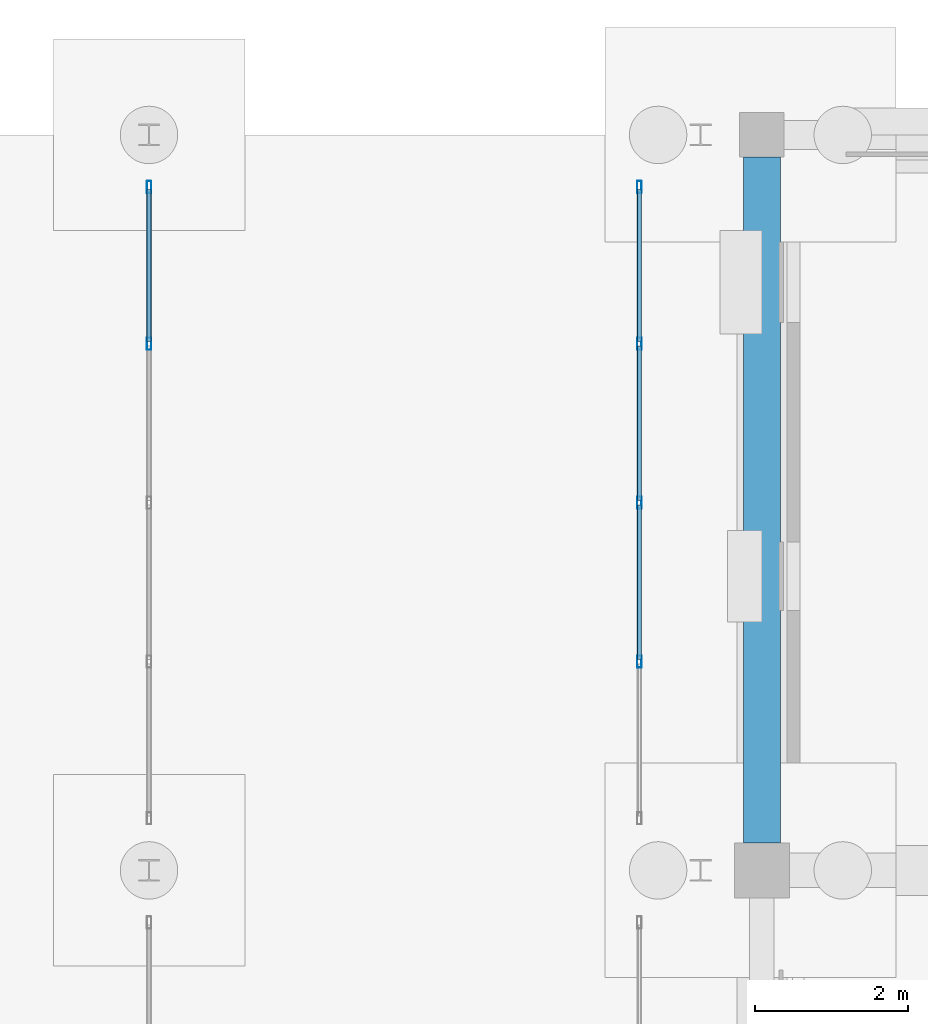
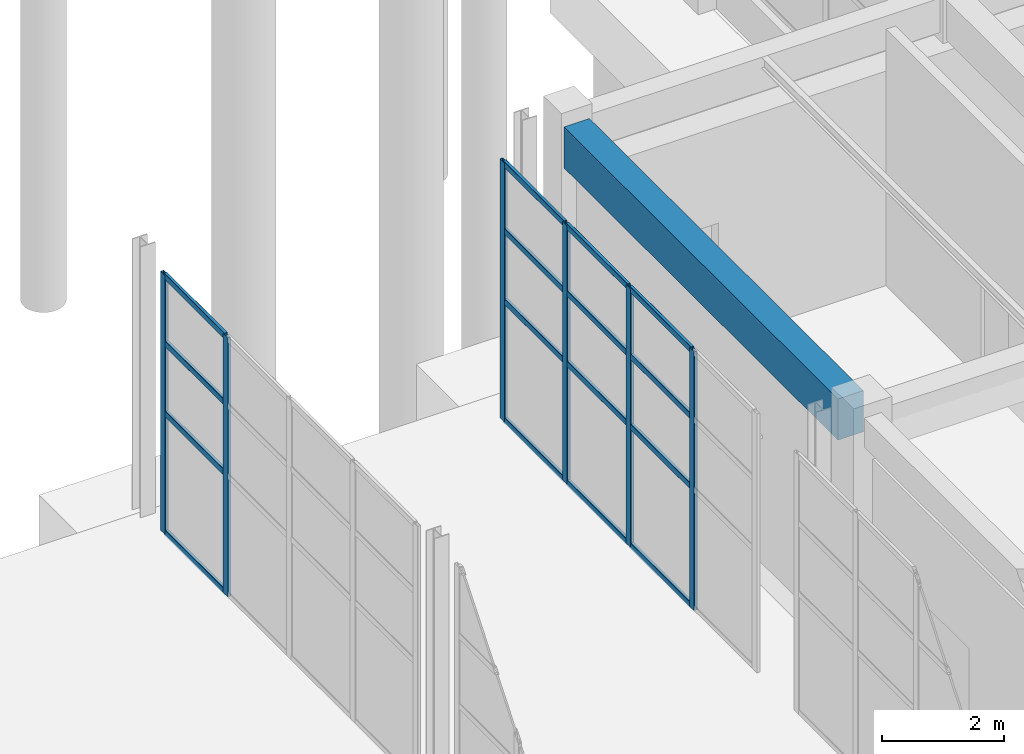
# One storey, part 29 of 91: 22 members, 1 beam, 2 elements without a shape of their own.
"""IFC4 building model written with IfcOpenShell, lengths in metres."""

from ifc_helpers import new_model, si_unit, direction, frame, origin, origin_2d, place, context, subcontext, project, spatial, rectangle, hollow_rectangle, extrude, material, material_profile, profile_set, type_object, element, aggregate, save


model = new_model("IFC4")

# Units and contexts
model_context = context("Model", 3, precision=1e-05, world=origin(), true_north=direction((0.0, 1.0)))
body_context = subcontext(model_context, "Body", "Model", "MODEL_VIEW")
ifc_project = project(units=[si_unit("LENGTHUNIT", "METRE"), si_unit("AREAUNIT", "SQUARE_METRE"), si_unit("VOLUMEUNIT", "CUBIC_METRE"), si_unit("PLANEANGLEUNIT", "RADIAN"), si_unit("MASSUNIT", "GRAM", prefix="KILO")], contexts=[model_context])

# Site, building, storey
site_placement = place(None, origin())
site = spatial("IfcSite", under=ifc_project, at=site_placement, CompositionType="ELEMENT")
building_placement = place(site_placement, origin())
building = spatial("IfcBuilding", under=site, at=building_placement, Name="Bramveld Media Centre", CompositionType="ELEMENT")
storey_placement = place(building_placement, origin())
storey = spatial("IfcBuildingStorey", under=building, at=storey_placement, Name="L00", CompositionType="ELEMENT", Elevation=0.0)

# Curtain wall, members
ifc_material_1 = material(Name="Thermally broken anodized bronze aluminium unitized curtain wall with solar-control triple glazing", Category="aluminium")
curtain_wall_type = type_object("IfcCurtainWallType", Name="CW-GAL-8300x5160", PredefinedType="NOTDEFINED", material=ifc_material_1)
curtain_wall_1_placement = place(storey_placement, origin())
curtain_wall_1 = element("IfcCurtainWall", 1, at=curtain_wall_1_placement, inside=storey, type_object=curtain_wall_type, Name="PASS-M colonnade glazed screen 5", PredefinedType="NOTDEFINED")
ifc_material_2 = material(Name="Thermally broken anodized bronze aluminium EN AW-6063 T6 curtain-wall framing", Category="aluminium")
ifc_material_profile_1 = material_profile(ifc_material_2, hollow_rectangle(XDim=0.06005859375, YDim=0.159912109375, WallThickness=0.00390625, InnerFilletRadius=0.00390625, OuterFilletRadius=0.008056640625, at=origin_2d()), Name="AL-MULL 60x160")
ifc_profile_set_1 = profile_set([ifc_material_profile_1], Name="Thermally broken anodized bronze aluminium EN AW-6063 T6 curtain-wall framing")
member_type_1 = type_object("IfcMemberType", Name="CW-MULL-EXT", PredefinedType="MULLION", material=ifc_profile_set_1)
member_1_placement = place(storey_placement, frame((116.0, 35.675048828125, 0.0), z_axis=(0.0, 0.0, 1.0), x_axis=(-1.0, 0.0, 0.0)))
member_1 = element("IfcMember", 2, at=member_1_placement, type_object=member_type_1, Name="CW-GA-8351 mullion 4", PredefinedType="MULLION", context=body_context, shape_type="SweptSolid", body=[
    extrude(hollow_rectangle(XDim=0.06005859375, YDim=0.159912109375, WallThickness=0.00390625, InnerFilletRadius=0.00390625, OuterFilletRadius=0.008056640625, at=origin_2d()), origin(), (0.0, 0.0, 1.0), 5.159912109375),
])
member_2_placement = place(storey_placement, frame((116.0, 37.719970703125, 0.0), z_axis=(0.0, 0.0, 1.0), x_axis=(-1.0, 0.0, 0.0)))
member_2 = element("IfcMember", 3, at=member_2_placement, type_object=member_type_1, Name="CW-GA-8351 mullion 5", PredefinedType="MULLION", context=body_context, shape_type="SweptSolid", body=[
    extrude(hollow_rectangle(XDim=0.06005859375, YDim=0.159912109375, WallThickness=0.00390625, InnerFilletRadius=0.00390625, OuterFilletRadius=0.008056640625, at=origin_2d()), origin(), (0.0, 0.0, 1.0), 5.159912109375),
])

curtain_wall_2_placement = place(storey_placement, origin())
curtain_wall_2 = element("IfcCurtainWall", 4, at=curtain_wall_2_placement, inside=storey, type_object=curtain_wall_type, Name="PASS-E colonnade glazed screen 5", PredefinedType="NOTDEFINED")
member_3_placement = place(storey_placement, frame((122.39990234375, 31.52490234375, 0.0), z_axis=(0.0, 0.0, 1.0), x_axis=(-1.0, 0.0, 0.0)))
member_3 = element("IfcMember", 5, at=member_3_placement, type_object=member_type_1, Name="CW-GA-8351 mullion 2", PredefinedType="MULLION", context=body_context, shape_type="SweptSolid", body=[
    extrude(hollow_rectangle(XDim=0.06005859375, YDim=0.159912109375, WallThickness=0.00390625, InnerFilletRadius=0.00390625, OuterFilletRadius=0.008056640625, at=origin_2d()), origin(), (0.0, 0.0, 1.0), 5.159912109375),
])
member_4_placement = place(storey_placement, frame((122.39990234375, 33.60009765625, 0.0), z_axis=(0.0, 0.0, 1.0), x_axis=(-1.0, 0.0, 0.0)))
member_4 = element("IfcMember", 6, at=member_4_placement, type_object=member_type_1, Name="CW-GA-8351 mullion 3", PredefinedType="MULLION", context=body_context, shape_type="SweptSolid", body=[
    extrude(hollow_rectangle(XDim=0.06005859375, YDim=0.159912109375, WallThickness=0.00390625, InnerFilletRadius=0.00390625, OuterFilletRadius=0.008056640625, at=origin_2d()), origin(), (0.0, 0.0, 1.0), 5.159912109375),
])
member_5_placement = place(storey_placement, frame((122.39990234375, 35.675048828125, 0.0), z_axis=(0.0, 0.0, 1.0), x_axis=(-1.0, 0.0, 0.0)))
member_5 = element("IfcMember", 7, at=member_5_placement, type_object=member_type_1, Name="CW-GA-8351 mullion 4", PredefinedType="MULLION", context=body_context, shape_type="SweptSolid", body=[
    extrude(hollow_rectangle(XDim=0.06005859375, YDim=0.159912109375, WallThickness=0.00390625, InnerFilletRadius=0.00390625, OuterFilletRadius=0.008056640625, at=origin_2d()), origin(), (0.0, 0.0, 1.0), 5.159912109375),
])
member_6_placement = place(storey_placement, frame((122.39990234375, 37.719970703125, 0.0), z_axis=(0.0, 0.0, 1.0), x_axis=(-1.0, 0.0, 0.0)))
member_6 = element("IfcMember", 8, at=member_6_placement, type_object=member_type_1, Name="CW-GA-8351 mullion 5", PredefinedType="MULLION", context=body_context, shape_type="SweptSolid", body=[
    extrude(hollow_rectangle(XDim=0.06005859375, YDim=0.159912109375, WallThickness=0.00390625, InnerFilletRadius=0.00390625, OuterFilletRadius=0.008056640625, at=origin_2d()), origin(), (0.0, 0.0, 1.0), 5.159912109375),
])

# Member
ifc_material_3 = material(Name="Thermally broken anodized bronze aluminium EN AW-6063 T6 curtain-wall framing", Category="aluminium")
ifc_material_profile_2 = material_profile(ifc_material_3, hollow_rectangle(XDim=0.06005859375, YDim=0.1201171875, WallThickness=0.00341796875, InnerFilletRadius=0.00341796875, OuterFilletRadius=0.007080078125, at=origin_2d()), Name="AL-TRAN 60x120")
ifc_profile_set_2 = profile_set([ifc_material_profile_2], Name="Thermally broken anodized bronze aluminium EN AW-6063 T6 curtain-wall framing")
member_type_2 = type_object("IfcMemberType", Name="CW-TRAN-EXT", PredefinedType="USERDEFINED", material=ifc_profile_set_2)
member_7_placement = place(storey_placement, frame((116.0, 35.705078125, 0.030029296875), z_axis=(0.0, 1.0, 0.0), x_axis=(-1.0, 0.0, 0.0)))
member_7 = element("IfcMember", 9, at=member_7_placement, type_object=member_type_2, Name="CW-GA-8351 transom 4.1", ObjectType="TRANSOM", PredefinedType="USERDEFINED", context=body_context, shape_type="SweptSolid", body=[
    extrude(hollow_rectangle(XDim=0.06005859375, YDim=0.1201171875, WallThickness=0.00341796875, InnerFilletRadius=0.00341796875, OuterFilletRadius=0.007080078125, at=origin_2d()), origin(), (0.0, 0.0, 1.0), 1.98486328125),
])

member_8_placement = place(storey_placement, frame((116.0, 35.705078125, 2.39990234375), z_axis=(0.0, 1.0, 0.0), x_axis=(-1.0, 0.0, 0.0)))
member_8 = element("IfcMember", 10, at=member_8_placement, type_object=member_type_2, Name="CW-GA-8351 transom 4.2", ObjectType="TRANSOM", PredefinedType="USERDEFINED", context=body_context, shape_type="SweptSolid", body=[
    extrude(hollow_rectangle(XDim=0.06005859375, YDim=0.1201171875, WallThickness=0.00341796875, InnerFilletRadius=0.00341796875, OuterFilletRadius=0.007080078125, at=origin_2d()), origin(), (0.0, 0.0, 1.0), 1.98486328125),
])

member_9_placement = place(storey_placement, frame((116.0, 35.705078125, 3.800048828125), z_axis=(0.0, 1.0, 0.0), x_axis=(-1.0, 0.0, 0.0)))
member_9 = element("IfcMember", 11, at=member_9_placement, type_object=member_type_2, Name="CW-GA-8351 transom 4.3", ObjectType="TRANSOM", PredefinedType="USERDEFINED", context=body_context, shape_type="SweptSolid", body=[
    extrude(hollow_rectangle(XDim=0.06005859375, YDim=0.1201171875, WallThickness=0.00341796875, InnerFilletRadius=0.00341796875, OuterFilletRadius=0.007080078125, at=origin_2d()), origin(), (0.0, 0.0, 1.0), 1.98486328125),
])

member_10_placement = place(storey_placement, frame((116.0, 35.705078125, 5.1298828125), z_axis=(0.0, 1.0, 0.0), x_axis=(-1.0, 0.0, 0.0)))
member_10 = element("IfcMember", 12, at=member_10_placement, type_object=member_type_2, Name="CW-GA-8351 transom 4.4", ObjectType="TRANSOM", PredefinedType="USERDEFINED", context=body_context, shape_type="SweptSolid", body=[
    extrude(hollow_rectangle(XDim=0.06005859375, YDim=0.1201171875, WallThickness=0.00341796875, InnerFilletRadius=0.00341796875, OuterFilletRadius=0.007080078125, at=origin_2d()), origin(), (0.0, 0.0, 1.0), 1.98486328125),
])

aggregate(curtain_wall_1, [member_1, member_2, member_7, member_8, member_9, member_10])

member_11_placement = place(storey_placement, frame((122.39990234375, 31.554931640625, 0.030029296875), z_axis=(0.0, 1.0, 0.0), x_axis=(-1.0, 0.0, 0.0)))
member_11 = element("IfcMember", 13, at=member_11_placement, type_object=member_type_2, Name="CW-GA-8351 transom 2.1", ObjectType="TRANSOM", PredefinedType="USERDEFINED", context=body_context, shape_type="SweptSolid", body=[
    extrude(hollow_rectangle(XDim=0.06005859375, YDim=0.1201171875, WallThickness=0.00341796875, InnerFilletRadius=0.00341796875, OuterFilletRadius=0.007080078125, at=origin_2d()), origin(), (0.0, 0.0, 1.0), 2.01513671875),
])

member_12_placement = place(storey_placement, frame((122.39990234375, 31.554931640625, 2.39990234375), z_axis=(0.0, 1.0, 0.0), x_axis=(-1.0, 0.0, 0.0)))
member_12 = element("IfcMember", 14, at=member_12_placement, type_object=member_type_2, Name="CW-GA-8351 transom 2.2", ObjectType="TRANSOM", PredefinedType="USERDEFINED", context=body_context, shape_type="SweptSolid", body=[
    extrude(hollow_rectangle(XDim=0.06005859375, YDim=0.1201171875, WallThickness=0.00341796875, InnerFilletRadius=0.00341796875, OuterFilletRadius=0.007080078125, at=origin_2d()), origin(), (0.0, 0.0, 1.0), 2.01513671875),
])

member_13_placement = place(storey_placement, frame((122.39990234375, 31.554931640625, 3.800048828125), z_axis=(0.0, 1.0, 0.0), x_axis=(-1.0, 0.0, 0.0)))
member_13 = element("IfcMember", 15, at=member_13_placement, type_object=member_type_2, Name="CW-GA-8351 transom 2.3", ObjectType="TRANSOM", PredefinedType="USERDEFINED", context=body_context, shape_type="SweptSolid", body=[
    extrude(hollow_rectangle(XDim=0.06005859375, YDim=0.1201171875, WallThickness=0.00341796875, InnerFilletRadius=0.00341796875, OuterFilletRadius=0.007080078125, at=origin_2d()), origin(), (0.0, 0.0, 1.0), 2.01513671875),
])

member_14_placement = place(storey_placement, frame((122.39990234375, 31.554931640625, 5.1298828125), z_axis=(0.0, 1.0, 0.0), x_axis=(-1.0, 0.0, 0.0)))
member_14 = element("IfcMember", 16, at=member_14_placement, type_object=member_type_2, Name="CW-GA-8351 transom 2.4", ObjectType="TRANSOM", PredefinedType="USERDEFINED", context=body_context, shape_type="SweptSolid", body=[
    extrude(hollow_rectangle(XDim=0.06005859375, YDim=0.1201171875, WallThickness=0.00341796875, InnerFilletRadius=0.00341796875, OuterFilletRadius=0.007080078125, at=origin_2d()), origin(), (0.0, 0.0, 1.0), 2.01513671875),
])

member_15_placement = place(storey_placement, frame((122.39990234375, 33.6298828125, 0.030029296875), z_axis=(0.0, 1.0, 0.0), x_axis=(-1.0, 0.0, 0.0)))
member_15 = element("IfcMember", 17, at=member_15_placement, type_object=member_type_2, Name="CW-GA-8351 transom 3.1", ObjectType="TRANSOM", PredefinedType="USERDEFINED", context=body_context, shape_type="SweptSolid", body=[
    extrude(hollow_rectangle(XDim=0.06005859375, YDim=0.1201171875, WallThickness=0.00341796875, InnerFilletRadius=0.00341796875, OuterFilletRadius=0.007080078125, at=origin_2d()), origin(), (0.0, 0.0, 1.0), 2.01513671875),
])

member_16_placement = place(storey_placement, frame((122.39990234375, 33.6298828125, 2.39990234375), z_axis=(0.0, 1.0, 0.0), x_axis=(-1.0, 0.0, 0.0)))
member_16 = element("IfcMember", 18, at=member_16_placement, type_object=member_type_2, Name="CW-GA-8351 transom 3.2", ObjectType="TRANSOM", PredefinedType="USERDEFINED", context=body_context, shape_type="SweptSolid", body=[
    extrude(hollow_rectangle(XDim=0.06005859375, YDim=0.1201171875, WallThickness=0.00341796875, InnerFilletRadius=0.00341796875, OuterFilletRadius=0.007080078125, at=origin_2d()), origin(), (0.0, 0.0, 1.0), 2.01513671875),
])

member_17_placement = place(storey_placement, frame((122.39990234375, 33.6298828125, 3.800048828125), z_axis=(0.0, 1.0, 0.0), x_axis=(-1.0, 0.0, 0.0)))
member_17 = element("IfcMember", 19, at=member_17_placement, type_object=member_type_2, Name="CW-GA-8351 transom 3.3", ObjectType="TRANSOM", PredefinedType="USERDEFINED", context=body_context, shape_type="SweptSolid", body=[
    extrude(hollow_rectangle(XDim=0.06005859375, YDim=0.1201171875, WallThickness=0.00341796875, InnerFilletRadius=0.00341796875, OuterFilletRadius=0.007080078125, at=origin_2d()), origin(), (0.0, 0.0, 1.0), 2.01513671875),
])

member_18_placement = place(storey_placement, frame((122.39990234375, 33.6298828125, 5.1298828125), z_axis=(0.0, 1.0, 0.0), x_axis=(-1.0, 0.0, 0.0)))
member_18 = element("IfcMember", 20, at=member_18_placement, type_object=member_type_2, Name="CW-GA-8351 transom 3.4", ObjectType="TRANSOM", PredefinedType="USERDEFINED", context=body_context, shape_type="SweptSolid", body=[
    extrude(hollow_rectangle(XDim=0.06005859375, YDim=0.1201171875, WallThickness=0.00341796875, InnerFilletRadius=0.00341796875, OuterFilletRadius=0.007080078125, at=origin_2d()), origin(), (0.0, 0.0, 1.0), 2.01513671875),
])

member_19_placement = place(storey_placement, frame((122.39990234375, 35.705078125, 0.030029296875), z_axis=(0.0, 1.0, 0.0), x_axis=(-1.0, 0.0, 0.0)))
member_19 = element("IfcMember", 21, at=member_19_placement, type_object=member_type_2, Name="CW-GA-8351 transom 4.1", ObjectType="TRANSOM", PredefinedType="USERDEFINED", context=body_context, shape_type="SweptSolid", body=[
    extrude(hollow_rectangle(XDim=0.06005859375, YDim=0.1201171875, WallThickness=0.00341796875, InnerFilletRadius=0.00341796875, OuterFilletRadius=0.007080078125, at=origin_2d()), origin(), (0.0, 0.0, 1.0), 1.98486328125),
])

member_20_placement = place(storey_placement, frame((122.39990234375, 35.705078125, 2.39990234375), z_axis=(0.0, 1.0, 0.0), x_axis=(-1.0, 0.0, 0.0)))
member_20 = element("IfcMember", 22, at=member_20_placement, type_object=member_type_2, Name="CW-GA-8351 transom 4.2", ObjectType="TRANSOM", PredefinedType="USERDEFINED", context=body_context, shape_type="SweptSolid", body=[
    extrude(hollow_rectangle(XDim=0.06005859375, YDim=0.1201171875, WallThickness=0.00341796875, InnerFilletRadius=0.00341796875, OuterFilletRadius=0.007080078125, at=origin_2d()), origin(), (0.0, 0.0, 1.0), 1.98486328125),
])

member_21_placement = place(storey_placement, frame((122.39990234375, 35.705078125, 3.800048828125), z_axis=(0.0, 1.0, 0.0), x_axis=(-1.0, 0.0, 0.0)))
member_21 = element("IfcMember", 23, at=member_21_placement, type_object=member_type_2, Name="CW-GA-8351 transom 4.3", ObjectType="TRANSOM", PredefinedType="USERDEFINED", context=body_context, shape_type="SweptSolid", body=[
    extrude(hollow_rectangle(XDim=0.06005859375, YDim=0.1201171875, WallThickness=0.00341796875, InnerFilletRadius=0.00341796875, OuterFilletRadius=0.007080078125, at=origin_2d()), origin(), (0.0, 0.0, 1.0), 1.98486328125),
])

member_22_placement = place(storey_placement, frame((122.39990234375, 35.705078125, 5.1298828125), z_axis=(0.0, 1.0, 0.0), x_axis=(-1.0, 0.0, 0.0)))
member_22 = element("IfcMember", 24, at=member_22_placement, type_object=member_type_2, Name="CW-GA-8351 transom 4.4", ObjectType="TRANSOM", PredefinedType="USERDEFINED", context=body_context, shape_type="SweptSolid", body=[
    extrude(hollow_rectangle(XDim=0.06005859375, YDim=0.1201171875, WallThickness=0.00341796875, InnerFilletRadius=0.00341796875, OuterFilletRadius=0.007080078125, at=origin_2d()), origin(), (0.0, 0.0, 1.0), 1.98486328125),
])

aggregate(curtain_wall_2, [member_3, member_4, member_5, member_6, member_11, member_12, member_13, member_14, member_15, member_16, member_17, member_18, member_19, member_20, member_21, member_22])

# Beam
ifc_material_4 = material(Name="Concrete C40/50", Category="concrete")
ifc_material_profile_3 = material_profile(ifc_material_4, rectangle(XDim=0.47998046875, YDim=0.820068359375, at=origin_2d()), Name="RC 480x820")
ifc_profile_set_3 = profile_set([ifc_material_profile_3], Name="Concrete C40/50")
beam_type = type_object("IfcBeamType", Name="SPANDREL-EXT-RC-480x820", PredefinedType="SPANDREL", material=ifc_profile_set_3)
beam_placement = place(storey_placement, frame((124.0, 29.159912109375, 4.7099609375), z_axis=(0.0, 1.0, 0.0), x_axis=(-1.0, 0.0, 0.0)))
element("IfcBeam", 25, at=beam_placement, inside=storey, type_object=beam_type, Name="V1 L00 girder Y-21", PredefinedType="SPANDREL", context=body_context, shape_type="SweptSolid", body=[
    extrude(rectangle(XDim=0.47998046875, YDim=0.820068359375, at=origin_2d()), origin(), (0.0, 0.0, 1.0), 8.9501953125),
])

save(model, "model.ifc")
